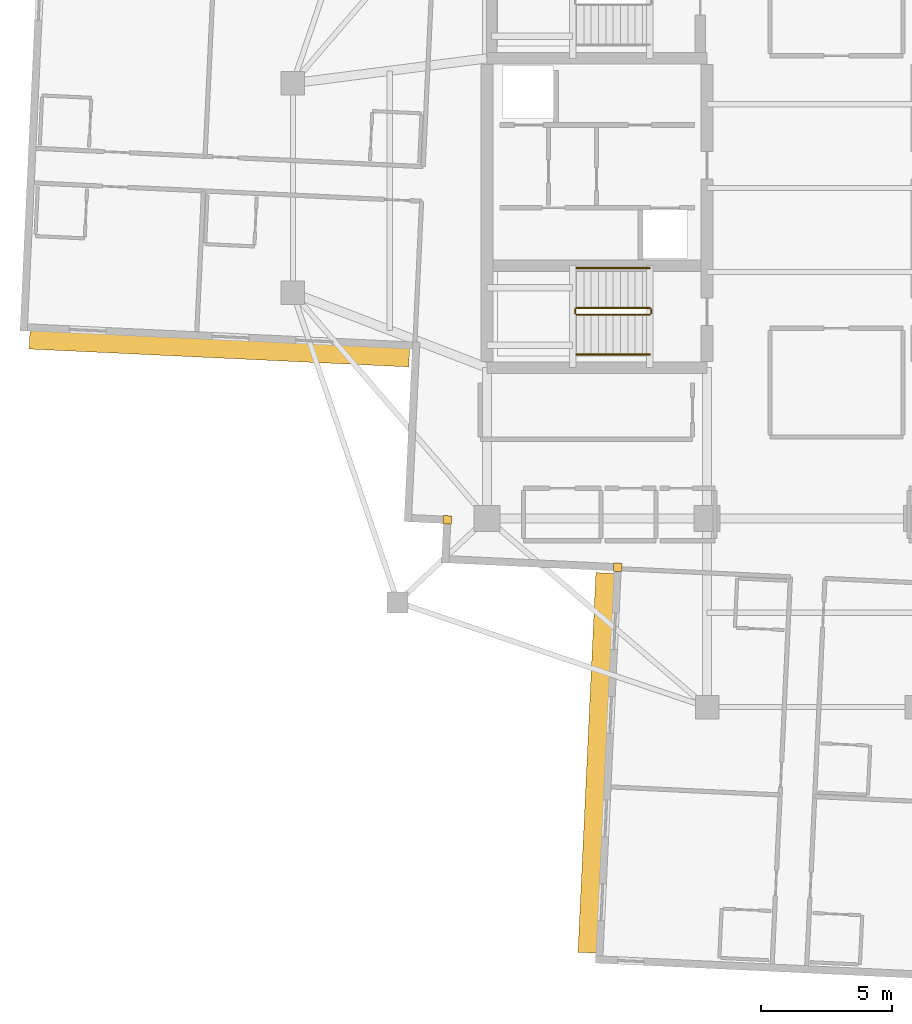
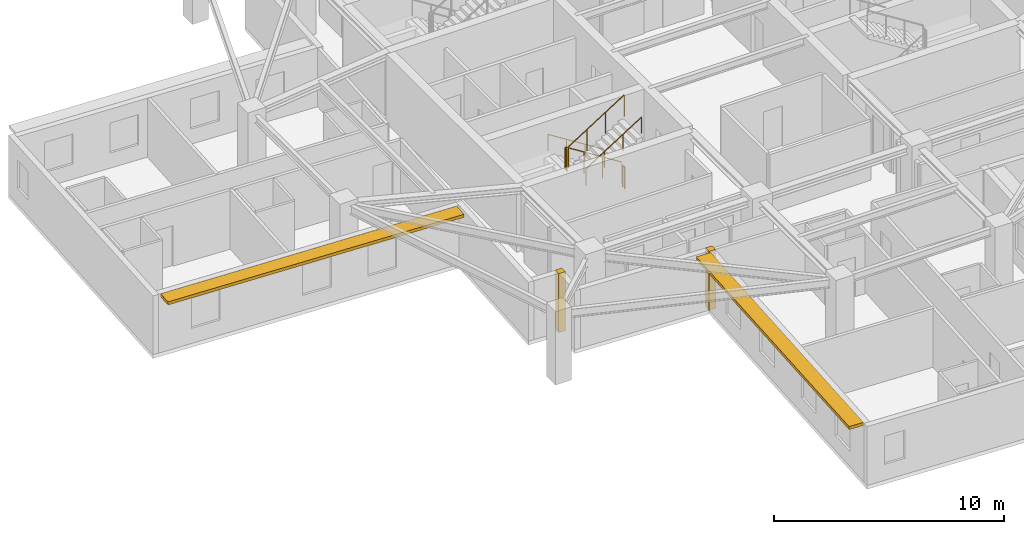
# One storey, part 10 of 13: 6 railings, 2 coverings, 2 shading devices.
"""IFC4 building model written with IfcOpenShell, lengths in metres."""

from ifc_helpers import new_model, si_unit, direction, frame, origin, origin_2d, place, context, subcontext, project, spatial, rectangle, circle, extrude, material, layer, layer_set, type_object, element, save


model = new_model("IFC4")

# Units and contexts
model_context = context("Model", 3, precision=1e-05, world=origin(), true_north=direction((0.0, 1.0)))
body_context = subcontext(model_context, "Body", "Model", "MODEL_VIEW")
ifc_project = project(units=[si_unit("LENGTHUNIT", "METRE"), si_unit("AREAUNIT", "SQUARE_METRE"), si_unit("VOLUMEUNIT", "CUBIC_METRE"), si_unit("PLANEANGLEUNIT", "RADIAN"), si_unit("MASSUNIT", "GRAM", prefix="KILO")], contexts=[model_context])

# Site, building, storey
site_placement = place(None, origin())
site = spatial("IfcSite", under=ifc_project, at=site_placement, CompositionType="ELEMENT")
building_placement = place(site_placement, origin())
building = spatial("IfcBuilding", under=site, at=building_placement, Name="Qingluan Cross Belvedere", CompositionType="ELEMENT")
storey_placement = place(building_placement, frame((0.0, 0.0, 236.39990234375)))
storey = spatial("IfcBuildingStorey", under=building, at=storey_placement, Name="L59", CompositionType="ELEMENT", Elevation=236.39990234375)

# Coverings
ifc_material_1 = material(Name="Precast concrete C45", Category="concrete")
ifc_layer_1 = layer(ifc_material_1, 0.1201171875, Name="ConcreteSpandrelCladding_120")
ifc_layer_set_1 = layer_set([ifc_layer_1], Name="Precast concrete C45")
covering_type = type_object("IfcCoveringType", Name="ConcreteSpandrelCladding_120", PredefinedType="CLADDING", material=ifc_layer_set_1)
for number, where, z_axis, x_axis, name in (
    (1, (-13.911865234375, -12.65869140625, 0.000244140625), (0.0, 0.0, 1.0), (0.998889874962, -0.04710645071, 0.0), "Corner closure L59-SW1"),
    (2, (-7.40966796875, -14.467041015625, 0.000244140625), (0.0, 0.0, 1.0), (0.998889874962, -0.04710645071, 0.0), "Corner closure L59-SW2"),
):
    element("IfcCovering", number, at=place(storey_placement, frame(where, z_axis=z_axis, x_axis=x_axis)), inside=storey, type_object=covering_type, Name=name, PredefinedType="CLADDING", context=body_context, shape_type="SweptSolid", body=[
        extrude(rectangle(XDim=0.320068359375, YDim=0.320068359375, at=origin_2d()), origin(), (0.0, 0.0, 1.0), 3.1298828125),
    ])

# Shading devices
ifc_material_2 = material(Name="Precast concrete C45", Category="concrete")
ifc_layer_2 = layer(ifc_material_2, 0.139892578125, Name="ConcreteSunshadeBand_700")
ifc_layer_set_2 = layer_set([ifc_layer_2], Name="Precast concrete C45")
shading_device_type = type_object("IfcShadingDeviceType", Name="ConcreteSunshadeBand_700", PredefinedType="USERDEFINED", material=ifc_layer_set_2)
for number, where, z_axis, x_axis, name in (
    (3, (-22.60400390625, -6.132080078125, 2.9501953125), (0.0, 0.0, 1.0), (0.99888976521, -0.047108777928, 0.0), "Concrete SUNSHADE L59-WB"),
    (4, (-8.23193359375, -21.926513671875, 2.9501953125), (0.0, 0.0, 1.0), (-0.047109098032, -0.998889750114, 0.0), "Concrete SUNSHADE L59-SA"),
):
    element("IfcShadingDevice", number, at=place(storey_placement, frame(where, z_axis=z_axis, x_axis=x_axis)), inside=storey, type_object=shading_device_type, Name=name, ObjectType="SUNSHADE", PredefinedType="USERDEFINED", context=body_context, shape_type="SweptSolid", body=[
        extrude(rectangle(XDim=14.5, YDim=0.699951171875, at=origin_2d()), origin(), (0.0, 0.0, 1.0), 0.159912109375),
    ])

# Railings
ifc_material_3 = material(Name="Brushed stainless steel tubular handrail", Category="steel")
railing_type_1 = type_object("IfcRailingType", Name="StairPitchHandrail_900", PredefinedType="HANDRAIL", material=ifc_material_3)
railing_1_placement = place(storey_placement, frame((-6.179931640625, -3.050048828125, 0.177490234375)))
element("IfcRailing", 5, at=railing_1_placement, inside=storey, type_object=railing_type_1, Name="L59 ST1 stair handrail 1", PredefinedType="HANDRAIL", context=body_context, shape_type="SweptSolid", body=[
    extrude(circle(Radius=0.02392578125, at=origin_2d()), frame((0.0, 0.0, 0.8759765625), z_axis=(-0.844908973607, 0.0, 0.534910110503), x_axis=(0.0, -1.0, 0.0)), (0.0, 0.0, 1.0), 3.31396484375),
    extrude(circle(Radius=0.02099609375, at=origin_2d()), origin(), (0.0, 0.0, 1.0), 0.851806640625),
    extrude(circle(Radius=0.02099609375, at=origin_2d()), frame((-0.933349609375, 0.0, 0.5908203125)), (0.0, 0.0, 1.0), 0.851806640625),
    extrude(circle(Radius=0.02099609375, at=origin_2d()), frame((-1.86669921875, 0.0, 1.181884765625)), (0.0, 0.0, 1.0), 0.851806640625),
    extrude(circle(Radius=0.02099609375, at=origin_2d()), frame((-2.800048828125, 0.0, 1.772705078125)), (0.0, 0.0, 1.0), 0.851806640625),
])
railing_2_placement = place(storey_placement, frame((-8.97998046875, -6.35009765625, 2.12744140625)))
element("IfcRailing", 6, at=railing_2_placement, inside=storey, type_object=railing_type_1, Name="L59 ST1 stair handrail 2", PredefinedType="HANDRAIL", context=body_context, shape_type="SweptSolid", body=[
    extrude(circle(Radius=0.02392578125, at=origin_2d()), frame((0.0, 0.0, 0.8759765625), z_axis=(0.844908973607, 0.0, 0.534910110503), x_axis=(0.0, 1.0, 0.0)), (0.0, 0.0, 1.0), 3.31396484375),
    extrude(circle(Radius=0.02099609375, at=origin_2d()), origin(), (0.0, 0.0, 1.0), 0.851806640625),
    extrude(circle(Radius=0.02099609375, at=origin_2d()), frame((0.933349609375, 0.0, 0.5908203125)), (0.0, 0.0, 1.0), 0.851806640625),
    extrude(circle(Radius=0.02099609375, at=origin_2d()), frame((1.86669921875, 0.0, 1.181884765625)), (0.0, 0.0, 1.0), 0.851806640625),
    extrude(circle(Radius=0.02099609375, at=origin_2d()), frame((2.800048828125, 0.0, 1.772705078125)), (0.0, 0.0, 1.0), 0.851806640625),
])
ifc_material_4 = material(Name="Painted steel stair well guard", Category="steel")
railing_type_2 = type_object("IfcRailingType", Name="StairWellGuard_1150", PredefinedType="BALUSTRADE", material=ifc_material_4)
railing_3_placement = place(storey_placement, frame((-6.179931640625, -4.570068359375, 0.177490234375)))
element("IfcRailing", 7, at=railing_3_placement, inside=storey, type_object=railing_type_2, Name="L59 ST1 stair guard 1", PredefinedType="BALUSTRADE", context=body_context, shape_type="SweptSolid", body=[
    extrude(circle(Radius=0.02392578125, at=origin_2d()), frame((0.0, 0.0, 1.1259765625), z_axis=(-0.844908973607, 0.0, 0.534910110503), x_axis=(0.0, -1.0, 0.0)), (0.0, 0.0, 1.0), 3.31396484375),
    extrude(circle(Radius=0.02099609375, at=origin_2d()), origin(), (0.0, 0.0, 1.0), 1.101806640625),
    extrude(circle(Radius=0.02099609375, at=origin_2d()), frame((-0.933349609375, 0.0, 0.5908203125)), (0.0, 0.0, 1.0), 1.101806640625),
    extrude(circle(Radius=0.02099609375, at=origin_2d()), frame((-1.86669921875, 0.0, 1.181884765625)), (0.0, 0.0, 1.0), 1.101806640625),
    extrude(circle(Radius=0.02099609375, at=origin_2d()), frame((-2.800048828125, 0.0, 1.772705078125)), (0.0, 0.0, 1.0), 1.101806640625),
])
railing_4_placement = place(storey_placement, frame((-9.030029296875, -4.6201171875, 1.9501953125)))
element("IfcRailing", 8, at=railing_4_placement, inside=storey, type_object=railing_type_2, Name="L59 ST1 stair guard 2", PredefinedType="BALUSTRADE", context=body_context, shape_type="SweptSolid", body=[
    extrude(circle(Radius=0.02392578125, at=origin_2d()), frame((0.0, 0.0, 1.1259765625), z_axis=(0.0, -1.0, 0.0), x_axis=(1.0, 0.0, 0.0)), (0.0, 0.0, 1.0), 0.159912109375),
    extrude(circle(Radius=0.02099609375, at=origin_2d()), origin(), (0.0, 0.0, 1.0), 1.101806640625),
    extrude(circle(Radius=0.02099609375, at=origin_2d()), frame((0.0, -0.159912109375, 0.0)), (0.0, 0.0, 1.0), 1.101806640625),
])
railing_5_placement = place(storey_placement, frame((-8.97998046875, -4.830078125, 2.12744140625)))
element("IfcRailing", 9, at=railing_5_placement, inside=storey, type_object=railing_type_2, Name="L59 ST1 stair guard 3", PredefinedType="BALUSTRADE", context=body_context, shape_type="SweptSolid", body=[
    extrude(circle(Radius=0.02392578125, at=origin_2d()), frame((0.0, 0.0, 1.1259765625), z_axis=(0.844908973607, 0.0, 0.534910110503), x_axis=(0.0, 1.0, 0.0)), (0.0, 0.0, 1.0), 3.31396484375),
    extrude(circle(Radius=0.02099609375, at=origin_2d()), origin(), (0.0, 0.0, 1.0), 1.101806640625),
    extrude(circle(Radius=0.02099609375, at=origin_2d()), frame((0.933349609375, 0.0, 0.5908203125)), (0.0, 0.0, 1.0), 1.101806640625),
    extrude(circle(Radius=0.02099609375, at=origin_2d()), frame((1.86669921875, 0.0, 1.181884765625)), (0.0, 0.0, 1.0), 1.101806640625),
    extrude(circle(Radius=0.02099609375, at=origin_2d()), frame((2.800048828125, 0.0, 1.772705078125)), (0.0, 0.0, 1.0), 1.101806640625),
])
railing_6_placement = place(storey_placement, frame((-6.1298828125, -4.6201171875, 0.0)))
element("IfcRailing", 10, at=railing_6_placement, inside=storey, type_object=railing_type_2, Name="L59 ST1 stair guard 4", PredefinedType="BALUSTRADE", context=body_context, shape_type="SweptSolid", body=[
    extrude(circle(Radius=0.02392578125, at=origin_2d()), frame((0.0, 0.0, 1.1259765625), z_axis=(0.0, -1.0, 0.0), x_axis=(1.0, 0.0, 0.0)), (0.0, 0.0, 1.0), 0.159912109375),
    extrude(circle(Radius=0.02099609375, at=origin_2d()), origin(), (0.0, 0.0, 1.0), 1.101806640625),
    extrude(circle(Radius=0.02099609375, at=origin_2d()), frame((0.0, -0.159912109375, 0.0)), (0.0, 0.0, 1.0), 1.101806640625),
])

save(model, "model.ifc")
